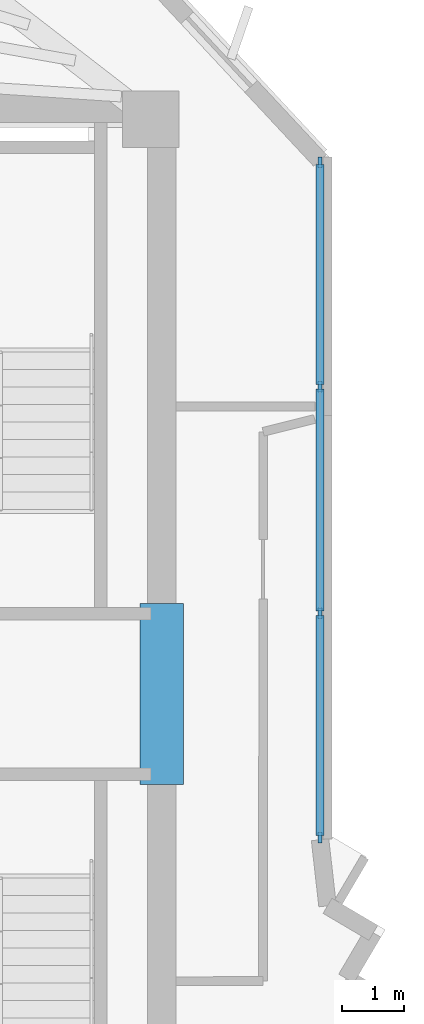
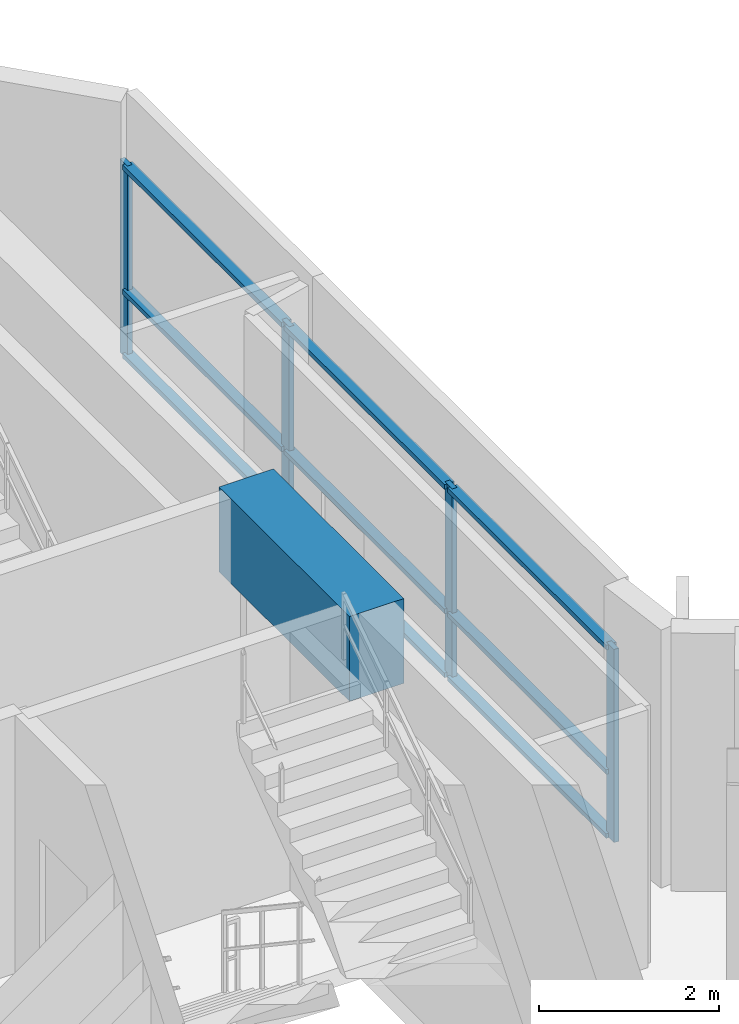
# One storey, part 2 of 10: 13 members, 1 beam, 1 element without a shape of its own.
"""IFC4 building model written with IfcOpenShell, lengths in metres."""

from ifc_helpers import new_model, si_unit, direction, frame, origin, origin_2d, place, context, subcontext, project, spatial, rectangle, extrude, source, transform, mapped, material, layer, layer_set, material_profile, profile_set, type_object, element, aggregate, save


model = new_model("IFC4")

# Units and contexts
model_context = context("Model", 3, precision=1e-05, world=origin(), true_north=direction((0.0, 1.0)))
body_context = subcontext(model_context, "Body", "Model", "MODEL_VIEW")
ifc_project = project(units=[si_unit("LENGTHUNIT", "METRE"), si_unit("AREAUNIT", "SQUARE_METRE"), si_unit("VOLUMEUNIT", "CUBIC_METRE"), si_unit("PLANEANGLEUNIT", "RADIAN"), si_unit("MASSUNIT", "GRAM", prefix="KILO")], contexts=[model_context])

# Site, building, storey
site_placement = place(None, origin())
site = spatial("IfcSite", under=ifc_project, at=site_placement, CompositionType="ELEMENT")
building_placement = place(site_placement, origin())
building = spatial("IfcBuilding", under=site, at=building_placement, Name="Zahravan Cultural Tower", CompositionType="ELEMENT")
storey_placement = place(building_placement, frame((0.0, 0.0, 342.300048828125)))
storey = spatial("IfcBuildingStorey", under=building, at=storey_placement, Name="L83", CompositionType="ELEMENT", Elevation=342.300048828125)

# Beam
ifc_material_1 = material(Name="Concrete C50/60", Category="concrete")
ifc_material_profile_1 = material_profile(ifc_material_1, rectangle(XDim=0.699951171875, YDim=1.14990234375, at=origin_2d()), Name="RC700X1150")
ifc_profile_set_1 = profile_set([ifc_material_profile_1], Name="Concrete C50/60")
beam_type = type_object("IfcBeamType", Name="BM-LN-RC700X1150", PredefinedType="LINTEL", material=ifc_profile_set_1)
shared_shape_1 = source(origin(), body_context, "Body", "SweptSolid", [
    extrude(rectangle(XDim=0.699951171875, YDim=1.14990234375, at=origin_2d()), origin(), (0.0, 0.0, 1.0), 2.89990234375),
])
beam_placement = place(storey_placement, frame((50.52490234375, 25.550048828125, 2.925048828125), z_axis=(0.0, 1.0, 0.0), x_axis=(-1.0, 0.0, 0.0)))
element("IfcBeam", 1, at=beam_placement, inside=storey, type_object=beam_type, Name="L83 Beam LN-L83-PEE", PredefinedType="LINTEL", context=body_context, shape_type="MappedRepresentation", body=[
    mapped(shared_shape_1, transform((0.0, 0.0, 0.0), x_axis=(1.0, 0.0, 0.0), y_axis=(0.0, 1.0, 0.0), z_axis=(0.0, 0.0, 1.0), scale=1.0)),
])

# Curtain wall, members
ifc_material_2 = material(Name="Anodised bronze-aluminium mullion", Category="aluminium")
ifc_layer = layer(ifc_material_2, 0.1650390625)
ifc_layer_set = layer_set([ifc_layer], Name="Anodised bronze-aluminium mullion")
curtain_wall_type = type_object("IfcCurtainWallType", Name="CW-SYS-4", PredefinedType="USERDEFINED", material=ifc_layer_set)
curtain_wall_placement = place(storey_placement, origin())
curtain_wall = element("IfcCurtainWall", 2, at=curtain_wall_placement, inside=storey, type_object=curtain_wall_type, Name="L83 Recessed Curtain Wall CW-4.1", ObjectType="RECESSED GLAZING", PredefinedType="USERDEFINED")
ifc_material_profile_2 = material_profile(ifc_material_2, rectangle(XDim=0.06494140625, YDim=0.1650390625, at=origin_2d()), Name="AL-M65X165")
ifc_profile_set_2 = profile_set([ifc_material_profile_2], Name="Anodised bronze-aluminium mullion")
member_type_1 = type_object("IfcMemberType", Name="CWM-CW-4", PredefinedType="MULLION", material=ifc_profile_set_2)
shared_shape_2 = source(origin(), body_context, "Body", "SweptSolid", [
    extrude(rectangle(XDim=0.06494140625, YDim=0.1650390625, at=origin_2d()), origin(), (0.0, 0.0, 1.0), 2.619873046875),
])
member_1_placement = place(storey_placement, frame((53.06005859375, 35.509521484375, 0.0), z_axis=(0.0, 0.0, 1.0), x_axis=(1.0, 0.0, 0.0)))
member_1 = element("IfcMember", 3, at=member_1_placement, type_object=member_type_1, Name="CW-4 mullion 1", PredefinedType="MULLION", context=body_context, shape_type="MappedRepresentation", body=[
    mapped(shared_shape_2, transform((0.0, 0.0, 0.0), x_axis=(1.0, 0.0, 0.0), y_axis=(0.0, 1.0, 0.0), z_axis=(0.0, 0.0, 1.0), scale=1.0)),
])
member_2_placement = place(storey_placement, frame((53.06005859375, 31.916015625, 0.0), z_axis=(0.0, 0.0, 1.0), x_axis=(1.0, 0.0, 0.0)))
member_2 = element("IfcMember", 4, at=member_2_placement, type_object=member_type_1, Name="CW-4 mullion 2", PredefinedType="MULLION", context=body_context, shape_type="MappedRepresentation", body=[
    mapped(shared_shape_2, transform((0.0, 0.0, 0.0), x_axis=(1.0, 0.0, 0.0), y_axis=(0.0, 1.0, 0.0), z_axis=(0.0, 0.0, 1.0), scale=1.0)),
])
member_3_placement = place(storey_placement, frame((53.06005859375, 28.290283203125, 0.0), z_axis=(0.0, 0.0, 1.0), x_axis=(1.0, 0.0, 0.0)))
member_3 = element("IfcMember", 5, at=member_3_placement, type_object=member_type_1, Name="CW-4 mullion 3", PredefinedType="MULLION", context=body_context, shape_type="MappedRepresentation", body=[
    mapped(shared_shape_2, transform((0.0, 0.0, 0.0), x_axis=(1.0, 0.0, 0.0), y_axis=(0.0, 1.0, 0.0), z_axis=(0.0, 0.0, 1.0), scale=1.0)),
])
member_4_placement = place(storey_placement, frame((53.06005859375, 24.697021484375, 0.0), z_axis=(0.0, 0.0, 1.0), x_axis=(1.0, 0.0, 0.0)))
member_4 = element("IfcMember", 6, at=member_4_placement, type_object=member_type_1, Name="CW-4 mullion 4", PredefinedType="MULLION", context=body_context, shape_type="MappedRepresentation", body=[
    mapped(shared_shape_2, transform((0.0, 0.0, 0.0), x_axis=(1.0, 0.0, 0.0), y_axis=(0.0, 1.0, 0.0), z_axis=(0.0, 0.0, 1.0), scale=1.0)),
])
ifc_material_profile_3 = material_profile(ifc_material_2, rectangle(XDim=0.1298828125, YDim=0.06494140625, at=origin_2d()), Name="AL-T65X130")
ifc_profile_set_3 = profile_set([ifc_material_profile_3], Name="Anodised bronze-aluminium mullion")
member_type_2 = type_object("IfcMemberType", Name="CWT-CW-4", PredefinedType="USERDEFINED", material=ifc_profile_set_3)
shared_shape_3 = source(origin(), body_context, "Body", "SweptSolid", [
    extrude(rectangle(XDim=0.1298828125, YDim=0.06494140625, at=origin_2d()), origin(), (0.0, 0.0, 1.0), 3.5283203125),
])
member_5_placement = place(storey_placement, frame((53.06005859375, 35.47705078125, 0.032470703125), z_axis=(0.0, -1.0, 0.0), x_axis=(1.0, 0.0, 0.0)))
member_5 = element("IfcMember", 7, at=member_5_placement, type_object=member_type_2, Name="CW-4 transom 1.1", ObjectType="TRANSOM", PredefinedType="USERDEFINED", context=body_context, shape_type="MappedRepresentation", body=[
    mapped(shared_shape_3, transform((0.0, 0.0, 0.0), x_axis=(1.0, 0.0, 0.0), y_axis=(0.0, 1.0, 0.0), z_axis=(0.0, 0.0, 1.0), scale=1.0)),
])
member_6_placement = place(storey_placement, frame((53.06005859375, 35.47705078125, 0.89990234375), z_axis=(0.0, -1.0, 0.0), x_axis=(1.0, 0.0, 0.0)))
member_6 = element("IfcMember", 8, at=member_6_placement, type_object=member_type_2, Name="CW-4 transom 1.2", ObjectType="TRANSOM", PredefinedType="USERDEFINED", context=body_context, shape_type="MappedRepresentation", body=[
    mapped(shared_shape_3, transform((0.0, 0.0, 0.0), x_axis=(1.0, 0.0, 0.0), y_axis=(0.0, 1.0, 0.0), z_axis=(0.0, 0.0, 1.0), scale=1.0)),
])
member_7_placement = place(storey_placement, frame((53.06005859375, 35.47705078125, 2.58740234375), z_axis=(0.0, -1.0, 0.0), x_axis=(1.0, 0.0, 0.0)))
member_7 = element("IfcMember", 9, at=member_7_placement, type_object=member_type_2, Name="CW-4 transom 1.3", ObjectType="TRANSOM", PredefinedType="USERDEFINED", context=body_context, shape_type="MappedRepresentation", body=[
    mapped(shared_shape_3, transform((0.0, 0.0, 0.0), x_axis=(1.0, 0.0, 0.0), y_axis=(0.0, 1.0, 0.0), z_axis=(0.0, 0.0, 1.0), scale=1.0)),
])
member_8_placement = place(storey_placement, frame((53.06005859375, 28.2578125, 0.032470703125), z_axis=(0.0, -1.0, 0.0), x_axis=(1.0, 0.0, 0.0)))
member_8 = element("IfcMember", 10, at=member_8_placement, type_object=member_type_2, Name="CW-4 transom 3.1", ObjectType="TRANSOM", PredefinedType="USERDEFINED", context=body_context, shape_type="MappedRepresentation", body=[
    mapped(shared_shape_3, transform((0.0, 0.0, 0.0), x_axis=(1.0, 0.0, 0.0), y_axis=(0.0, 1.0, 0.0), z_axis=(0.0, 0.0, 1.0), scale=1.0)),
])
member_9_placement = place(storey_placement, frame((53.06005859375, 28.2578125, 0.89990234375), z_axis=(0.0, -1.0, 0.0), x_axis=(1.0, 0.0, 0.0)))
member_9 = element("IfcMember", 11, at=member_9_placement, type_object=member_type_2, Name="CW-4 transom 3.2", ObjectType="TRANSOM", PredefinedType="USERDEFINED", context=body_context, shape_type="MappedRepresentation", body=[
    mapped(shared_shape_3, transform((0.0, 0.0, 0.0), x_axis=(1.0, 0.0, 0.0), y_axis=(0.0, 1.0, 0.0), z_axis=(0.0, 0.0, 1.0), scale=1.0)),
])
member_10_placement = place(storey_placement, frame((53.06005859375, 28.2578125, 2.58740234375), z_axis=(0.0, -1.0, 0.0), x_axis=(1.0, 0.0, 0.0)))
member_10 = element("IfcMember", 12, at=member_10_placement, type_object=member_type_2, Name="CW-4 transom 3.3", ObjectType="TRANSOM", PredefinedType="USERDEFINED", context=body_context, shape_type="MappedRepresentation", body=[
    mapped(shared_shape_3, transform((0.0, 0.0, 0.0), x_axis=(1.0, 0.0, 0.0), y_axis=(0.0, 1.0, 0.0), z_axis=(0.0, 0.0, 1.0), scale=1.0)),
])
shared_shape_4 = source(origin(), body_context, "Body", "SweptSolid", [
    extrude(rectangle(XDim=0.1298828125, YDim=0.06494140625, at=origin_2d()), origin(), (0.0, 0.0, 1.0), 3.560791015625),
])
member_11_placement = place(storey_placement, frame((53.06005859375, 31.883544921875, 0.032470703125), z_axis=(0.0, -1.0, 0.0), x_axis=(1.0, 0.0, 0.0)))
member_11 = element("IfcMember", 13, at=member_11_placement, type_object=member_type_2, Name="CW-4 transom 2.1", ObjectType="TRANSOM", PredefinedType="USERDEFINED", context=body_context, shape_type="MappedRepresentation", body=[
    mapped(shared_shape_4, transform((0.0, 0.0, 0.0), x_axis=(1.0, 0.0, 0.0), y_axis=(0.0, 1.0, 0.0), z_axis=(0.0, 0.0, 1.0), scale=1.0)),
])
member_12_placement = place(storey_placement, frame((53.06005859375, 31.883544921875, 0.89990234375), z_axis=(0.0, -1.0, 0.0), x_axis=(1.0, 0.0, 0.0)))
member_12 = element("IfcMember", 14, at=member_12_placement, type_object=member_type_2, Name="CW-4 transom 2.2", ObjectType="TRANSOM", PredefinedType="USERDEFINED", context=body_context, shape_type="MappedRepresentation", body=[
    mapped(shared_shape_4, transform((0.0, 0.0, 0.0), x_axis=(1.0, 0.0, 0.0), y_axis=(0.0, 1.0, 0.0), z_axis=(0.0, 0.0, 1.0), scale=1.0)),
])
member_13_placement = place(storey_placement, frame((53.06005859375, 31.883544921875, 2.58740234375), z_axis=(0.0, -1.0, 0.0), x_axis=(1.0, 0.0, 0.0)))
member_13 = element("IfcMember", 15, at=member_13_placement, type_object=member_type_2, Name="CW-4 transom 2.3", ObjectType="TRANSOM", PredefinedType="USERDEFINED", context=body_context, shape_type="MappedRepresentation", body=[
    mapped(shared_shape_4, transform((0.0, 0.0, 0.0), x_axis=(1.0, 0.0, 0.0), y_axis=(0.0, 1.0, 0.0), z_axis=(0.0, 0.0, 1.0), scale=1.0)),
])
aggregate(curtain_wall, [member_1, member_2, member_3, member_4, member_5, member_6, member_7, member_11, member_12, member_13, member_8, member_9, member_10])

save(model, "model.ifc")
